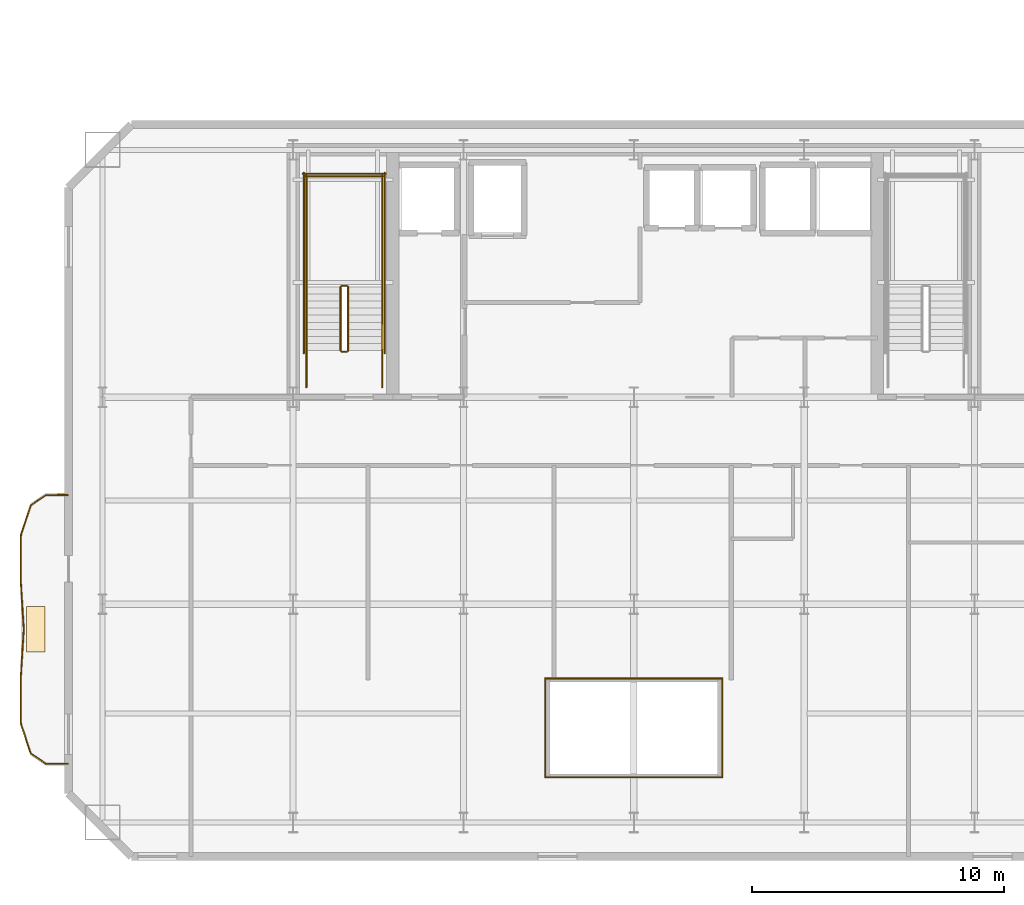
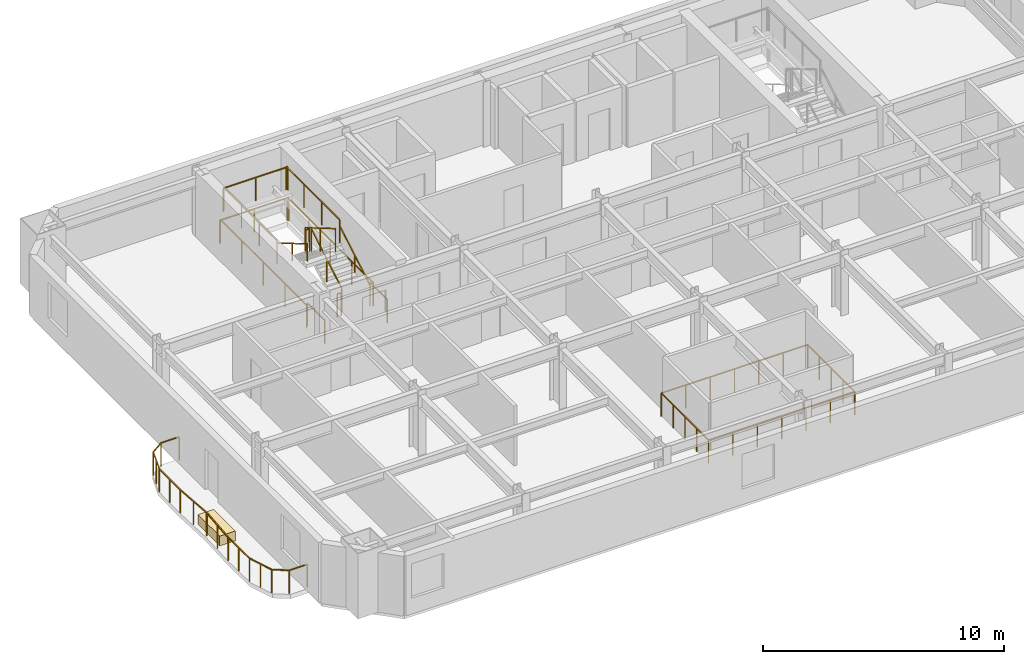
# One storey, part 10 of 13: 28 railings, 1 covering.
"""IFC4 building model written with IfcOpenShell, lengths in metres."""

import ifcopenshell
import ifcopenshell.guid

model = None  # the IFC model being written
_history = None  # IfcOwnerHistory: only IFC2X3 demands one
_inside = {}  # id of a spatial element -> (the spatial element, [elements in it])
_under = {}  # id of a project, library or spatial element -> (it, [spatial elements below it])
_declared = {}  # id of a project -> (the project, [libraries it declares])
_typed = {}  # id of a type object -> (the type object, [elements of that type])
_made_of = {}  # id of a material, layer set ... -> (it, [elements and type objects made of it])


def new_model(schema):
    """Start an empty IFC model of exactly this schema.

    Asked for "IFC4X3", IfcOpenShell would pick the latest addendum, in which some entities
    have other attributes; the version numbers below select the first issue.
    IFC2X3 requires an IfcOwnerHistory on every rooted entity: one is made here for all.
    """
    global model, _history
    if schema == "IFC4X3":
        model = ifcopenshell.file(schema_version=(4, 3, 0, 0))
    else:
        model = ifcopenshell.file(schema=schema)
    _inside.clear()
    _under.clear()
    _declared.clear()
    _typed.clear()
    _made_of.clear()
    _history = None
    if model.schema == "IFC2X3":
        org = make("IfcOrganization", Name="unknown")
        user = make(
            "IfcPersonAndOrganization",
            ThePerson=make("IfcPerson", FamilyName="unknown"),
            TheOrganization=org,
        )
        app = make(
            "IfcApplication",
            ApplicationDeveloper=org,
            Version="unknown",
            ApplicationFullName="unknown",
            ApplicationIdentifier="unknown",
        )
        _history = make(
            "IfcOwnerHistory",
            OwningUser=user,
            OwningApplication=app,
            ChangeAction="ADDED",
            CreationDate=0,
        )
    return model


def make(cls, **values):
    """One entity of the class cls with the attributes given. An attribute that is None is left unset."""
    return model.create_entity(
        cls, **{name: value for name, value in values.items() if value is not None}
    )


def rooted(cls, **values):
    """An entity with a GlobalId (a new one), such as an element, a storey or a relation."""
    return make(cls, GlobalId=ifcopenshell.guid.new(), OwnerHistory=_history, **values)


def si_unit(unit_type, name, prefix=None):
    """IfcSIUnit, for example si_unit("LENGTHUNIT", "METRE", prefix="MILLI")."""
    return make("IfcSIUnit", UnitType=unit_type, Prefix=prefix, Name=name)


def assignment(units):
    """IfcUnitAssignment: the units of a project."""
    return None if units is None else make("IfcUnitAssignment", Units=units)


def point(xyz):
    """IfcCartesianPoint."""
    return None if xyz is None else make("IfcCartesianPoint", Coordinates=xyz)


def direction(xyz):
    """IfcDirection."""
    return None if xyz is None else make("IfcDirection", DirectionRatios=xyz)


def frame(location, z_axis=None, x_axis=None):
    """IfcAxis2Placement3D, a coordinate frame: its origin and axes. An axis left out is left unset."""
    return make(
        "IfcAxis2Placement3D",
        Location=point(location),
        Axis=direction(z_axis),
        RefDirection=direction(x_axis),
    )


def frame_2d(location, x_axis=None):
    """IfcAxis2Placement2D, a coordinate frame in the plane: its origin and x axis."""
    return make(
        "IfcAxis2Placement2D", Location=point(location), RefDirection=direction(x_axis)
    )


def origin():
    """The frame at (0, 0, 0) with its axes left unset."""
    return frame((0.0, 0.0, 0.0))


def origin_2d():
    """The frame at (0, 0) in the plane with its x axis left unset."""
    return frame_2d((0.0, 0.0))


def place(relative_to, where):
    """IfcLocalPlacement: puts the frame where relative to a parent placement (None: the world)."""
    return make(
        "IfcLocalPlacement", PlacementRelTo=relative_to, RelativePlacement=where
    )


def context(
    kind, dimensions, precision=None, world=None, true_north=None, identifier=None
):
    """IfcGeometricRepresentationContext, for example the 3D "Model" context."""
    return make(
        "IfcGeometricRepresentationContext",
        ContextIdentifier=identifier,
        ContextType=kind,
        CoordinateSpaceDimension=dimensions,
        Precision=precision,
        WorldCoordinateSystem=world,
        TrueNorth=true_north,
    )


def subcontext(parent, identifier, kind, view, scale=None):
    """IfcGeometricRepresentationSubContext, for example "Body" below "Model"."""
    return make(
        "IfcGeometricRepresentationSubContext",
        ContextIdentifier=identifier,
        ContextType=kind,
        ParentContext=parent,
        TargetScale=scale,
        TargetView=view,
    )


def project(units=None, contexts=None):
    """IfcProject with its units and contexts."""
    return rooted(
        "IfcProject",
        Name="project",
        RepresentationContexts=contexts,
        UnitsInContext=assignment(units),
    )


def spatial(cls, under=None, at=None, **own):
    """A site, building, storey or space (cls), placed at a placement, below another one or the project."""
    s = rooted(cls, ObjectPlacement=at, **own)
    if under is not None:
        _under.setdefault(under.id(), (under, []))[1].append(s)
    return s


def profile(cls, at=None, kind="AREA", **sizes):
    """A parametric profile (cls). Its sizes go by their IFC names, for example OverallWidth=200.0."""
    return make(cls, ProfileType=kind, Position=at, **sizes)


def rectangle(**sizes):
    """IfcRectangleProfileDef."""
    return profile("IfcRectangleProfileDef", **sizes)


def extrude(swept, where, along, depth):
    """IfcExtrudedAreaSolid: the profile swept, set in the frame where, extruded along a direction by depth."""
    return make(
        "IfcExtrudedAreaSolid",
        SweptArea=swept,
        Position=where,
        ExtrudedDirection=direction(along),
        Depth=depth,
    )


def shape(context_of_items, identifier, shape_type, items):
    """IfcShapeRepresentation: the items that make up one representation, for example the "Body"."""
    return make(
        "IfcShapeRepresentation",
        ContextOfItems=context_of_items,
        RepresentationIdentifier=identifier,
        RepresentationType=shape_type,
        Items=items,
    )


def material(Name=None, Category=None):
    """IfcMaterial."""
    return make("IfcMaterial", Name=Name, Category=Category)


def layer(
    of_material, thickness, ventilated=None, Name=None, Category=None, Priority=None
):
    """IfcMaterialLayer: one layer of a wall or slab, of a material (None: an air gap)."""
    return make(
        "IfcMaterialLayer",
        Material=of_material,
        LayerThickness=thickness,
        IsVentilated=ventilated,
        Name=Name,
        Category=Category,
        Priority=Priority,
    )


def layer_set(layers, Name=None):
    """IfcMaterialLayerSet."""
    return make("IfcMaterialLayerSet", MaterialLayers=layers, LayerSetName=Name)


def made_of(thing, what):
    """Note that an element or type object is made of a material, layer set ...; save() writes the relation."""
    if what is not None:
        _made_of.setdefault(what.id(), (what, []))[1].append(thing)
    return thing


def type_object(cls, material=None, **own):
    """A type object (cls), such as IfcWallType, which elements share."""
    return made_of(rooted(cls, **own), material)


def element(
    cls,
    number,
    at=None,
    inside=None,
    cuts=None,
    type_object=None,
    material=None,
    context=None,
    identifier="Body",
    shape_type=None,
    held_by="IfcProductDefinitionShape",
    body=None,
    shapes=None,
    **own,
):
    """One element of the class cls, such as IfcWall. Its Tag is "e" and its number.

    at: its placement. inside: the storey or other place that contains it. cuts: it is an
    opening in that element (IfcRelVoidsElement). A single representation is given by context,
    identifier, shape_type and body (its items); several are given by shapes. held_by: the class
    of the entity that holds the representations. save() writes the other relations.
    """
    e = rooted(cls, Tag="e%d" % number, ObjectPlacement=at, **own)
    if body is not None:
        shapes = [shape(context, identifier, shape_type, body)]
    if shapes is not None:
        e.Representation = make(held_by, Representations=shapes)
    if inside is not None:
        _inside.setdefault(inside.id(), (inside, []))[1].append(e)
    if cuts is not None:
        rooted(
            "IfcRelVoidsElement", RelatingBuildingElement=cuts, RelatedOpeningElement=e
        )
    if type_object is not None:
        _typed.setdefault(type_object.id(), (type_object, []))[1].append(e)
    return made_of(e, material)


def aggregate(whole, parts):
    """IfcRelAggregates: a whole, such as a stair, and the parts it consists of."""
    return rooted("IfcRelAggregates", RelatingObject=whole, RelatedObjects=parts)


def save(model, path):
    """Write the relations noted so far, then the file.

    IfcRelAggregates (storeys below a building ...), IfcRelContainedInSpatialStructure (elements
    in a storey), IfcRelDefinesByType, IfcRelAssociatesMaterial and IfcRelDeclares: one each for
    every whole, place, type object, material and project.
    """
    for whole, parts in _under.values():
        aggregate(whole, parts)
    for where, things in _inside.values():
        rooted(
            "IfcRelContainedInSpatialStructure",
            RelatedElements=things,
            RelatingStructure=where,
        )
    for kind, things in _typed.values():
        rooted("IfcRelDefinesByType", RelatedObjects=things, RelatingType=kind)
    for what, things in _made_of.values():
        rooted("IfcRelAssociatesMaterial", RelatedObjects=things, RelatingMaterial=what)
    for by, libraries in _declared.values():
        rooted("IfcRelDeclares", RelatingContext=by, RelatedDefinitions=libraries)
    model.write(path)


model = new_model("IFC4")

# Units and contexts
model_context = context("Model", 3, precision=1e-05, world=origin(), true_north=direction((0.0, 1.0)))
body_context = subcontext(model_context, "Body", "Model", "MODEL_VIEW")
ifc_project = project(units=[si_unit("LENGTHUNIT", "METRE"), si_unit("AREAUNIT", "SQUARE_METRE"), si_unit("VOLUMEUNIT", "CUBIC_METRE"), si_unit("PLANEANGLEUNIT", "RADIAN"), si_unit("MASSUNIT", "GRAM", prefix="KILO")], contexts=[model_context])

# Site, building, storey
site_placement = place(None, origin())
site = spatial("IfcSite", under=ifc_project, at=site_placement, CompositionType="ELEMENT")
building_placement = place(site_placement, origin())
building = spatial("IfcBuilding", under=site, at=building_placement, Name="Haevon Station Towers", CompositionType="ELEMENT")
storey_placement = place(building_placement, frame((0.0, 0.0, 126.300048828125)))
storey = spatial("IfcBuildingStorey", under=building, at=storey_placement, Name="L34", CompositionType="ELEMENT", Elevation=126.300048828125)

# Railings
ifc_material_1 = material(Name="Steel S355", Category="steel")
railing_type_1 = type_object("IfcRailingType", Name="BAL-ATR1200", PredefinedType="BALUSTRADE", material=ifc_material_1)
railing_1_placement = place(storey_placement, frame((33.995361328125, 23.141357421875, 0.0)))
element("IfcRailing", 1, at=railing_1_placement, inside=storey, type_object=railing_type_1, Name="L34 Atrium Void Balustrade 1", PredefinedType="BALUSTRADE", context=body_context, shape_type="SweptSolid", body=[
    extrude(rectangle(XDim=0.048095703125, YDim=0.048095703125, at=origin_2d()), frame((0.0, 0.0, 1.17578125), z_axis=(1.0, 0.0, 0.0), x_axis=(0.0, 1.0, 0.0)), (0.0, 0.0, 1.0), 7.00927734375),
    extrude(rectangle(XDim=0.0419921875, YDim=0.0419921875, at=origin_2d()), origin(), (0.0, 0.0, 1.0), 1.15185546875),
    extrude(rectangle(XDim=0.0419921875, YDim=0.0419921875, at=origin_2d()), frame((1.168212890625, 0.0, 0.0)), (0.0, 0.0, 1.0), 1.15185546875),
    extrude(rectangle(XDim=0.0419921875, YDim=0.0419921875, at=origin_2d()), frame((2.33642578125, 0.0, 0.0)), (0.0, 0.0, 1.0), 1.15185546875),
    extrude(rectangle(XDim=0.0419921875, YDim=0.0419921875, at=origin_2d()), frame((3.504638671875, 0.0, 0.0)), (0.0, 0.0, 1.0), 1.15185546875),
    extrude(rectangle(XDim=0.0419921875, YDim=0.0419921875, at=origin_2d()), frame((4.6728515625, 0.0, 0.0)), (0.0, 0.0, 1.0), 1.15185546875),
    extrude(rectangle(XDim=0.0419921875, YDim=0.0419921875, at=origin_2d()), frame((5.841064453125, 0.0, 0.0)), (0.0, 0.0, 1.0), 1.15185546875),
    extrude(rectangle(XDim=0.0419921875, YDim=0.0419921875, at=origin_2d()), frame((7.00927734375, 0.0, 0.0)), (0.0, 0.0, 1.0), 1.15185546875),
])
railing_2_placement = place(storey_placement, frame((41.004638671875, 23.141357421875, 0.0)))
element("IfcRailing", 2, at=railing_2_placement, inside=storey, type_object=railing_type_1, Name="L34 Atrium Void Balustrade 2", PredefinedType="BALUSTRADE", context=body_context, shape_type="SweptSolid", body=[
    extrude(rectangle(XDim=0.048095703125, YDim=0.048095703125, at=origin_2d()), frame((0.0, 0.0, 1.17578125), z_axis=(0.0, 1.0, 0.0), x_axis=(-1.0, 0.0, 0.0)), (0.0, 0.0, 1.0), 3.917236328125),
    extrude(rectangle(XDim=0.0419921875, YDim=0.0419921875, at=origin_2d()), origin(), (0.0, 0.0, 1.0), 1.15185546875),
    extrude(rectangle(XDim=0.0419921875, YDim=0.0419921875, at=origin_2d()), frame((0.0, 0.979248046875, 0.0)), (0.0, 0.0, 1.0), 1.15185546875),
    extrude(rectangle(XDim=0.0419921875, YDim=0.0419921875, at=origin_2d()), frame((0.0, 1.95849609375, 0.0)), (0.0, 0.0, 1.0), 1.15185546875),
    extrude(rectangle(XDim=0.0419921875, YDim=0.0419921875, at=origin_2d()), frame((0.0, 2.93798828125, 0.0)), (0.0, 0.0, 1.0), 1.15185546875),
    extrude(rectangle(XDim=0.0419921875, YDim=0.0419921875, at=origin_2d()), frame((0.0, 3.917236328125, 0.0)), (0.0, 0.0, 1.0), 1.15185546875),
])
railing_3_placement = place(storey_placement, frame((41.004638671875, 27.05859375, 0.0)))
element("IfcRailing", 3, at=railing_3_placement, inside=storey, type_object=railing_type_1, Name="L34 Atrium Void Balustrade 3", PredefinedType="BALUSTRADE", context=body_context, shape_type="SweptSolid", body=[
    extrude(rectangle(XDim=0.048095703125, YDim=0.048095703125, at=origin_2d()), frame((0.0, 0.0, 1.17578125), z_axis=(-1.0, 0.0, 0.0), x_axis=(0.0, -1.0, 0.0)), (0.0, 0.0, 1.0), 7.00927734375),
    extrude(rectangle(XDim=0.0419921875, YDim=0.0419921875, at=origin_2d()), origin(), (0.0, 0.0, 1.0), 1.15185546875),
    extrude(rectangle(XDim=0.0419921875, YDim=0.0419921875, at=origin_2d()), frame((-1.168212890625, 0.0, 0.0)), (0.0, 0.0, 1.0), 1.15185546875),
    extrude(rectangle(XDim=0.0419921875, YDim=0.0419921875, at=origin_2d()), frame((-2.33642578125, 0.0, 0.0)), (0.0, 0.0, 1.0), 1.15185546875),
    extrude(rectangle(XDim=0.0419921875, YDim=0.0419921875, at=origin_2d()), frame((-3.504638671875, 0.0, 0.0)), (0.0, 0.0, 1.0), 1.15185546875),
    extrude(rectangle(XDim=0.0419921875, YDim=0.0419921875, at=origin_2d()), frame((-4.6728515625, 0.0, 0.0)), (0.0, 0.0, 1.0), 1.15185546875),
    extrude(rectangle(XDim=0.0419921875, YDim=0.0419921875, at=origin_2d()), frame((-5.841064453125, 0.0, 0.0)), (0.0, 0.0, 1.0), 1.15185546875),
    extrude(rectangle(XDim=0.0419921875, YDim=0.0419921875, at=origin_2d()), frame((-7.00927734375, 0.0, 0.0)), (0.0, 0.0, 1.0), 1.15185546875),
])
railing_4_placement = place(storey_placement, frame((33.995361328125, 27.05859375, 0.0)))
element("IfcRailing", 4, at=railing_4_placement, inside=storey, type_object=railing_type_1, Name="L34 Atrium Void Balustrade 4", PredefinedType="BALUSTRADE", context=body_context, shape_type="SweptSolid", body=[
    extrude(rectangle(XDim=0.048095703125, YDim=0.048095703125, at=origin_2d()), frame((0.0, 0.0, 1.17578125), z_axis=(0.0, -1.0, 0.0), x_axis=(1.0, 0.0, 0.0)), (0.0, 0.0, 1.0), 3.917236328125),
    extrude(rectangle(XDim=0.0419921875, YDim=0.0419921875, at=origin_2d()), origin(), (0.0, 0.0, 1.0), 1.15185546875),
    extrude(rectangle(XDim=0.0419921875, YDim=0.0419921875, at=origin_2d()), frame((0.0, -0.979248046875, 0.0)), (0.0, 0.0, 1.0), 1.15185546875),
    extrude(rectangle(XDim=0.0419921875, YDim=0.0419921875, at=origin_2d()), frame((0.0, -1.95849609375, 0.0)), (0.0, 0.0, 1.0), 1.15185546875),
    extrude(rectangle(XDim=0.0419921875, YDim=0.0419921875, at=origin_2d()), frame((0.0, -2.93798828125, 0.0)), (0.0, 0.0, 1.0), 1.15185546875),
    extrude(rectangle(XDim=0.0419921875, YDim=0.0419921875, at=origin_2d()), frame((0.0, -3.917236328125, 0.0)), (0.0, 0.0, 1.0), 1.15185546875),
])
railing_type_2 = type_object("IfcRailingType", Name="GRD-EXT1200", PredefinedType="GUARDRAIL", material=ifc_material_1)
railing_5_placement = place(storey_placement, frame((15.076416015625, 34.322265625, 0.0)))
element("IfcRailing", 5, at=railing_5_placement, inside=storey, type_object=railing_type_2, Name="L34 Perimeter Guardrail 1", PredefinedType="GUARDRAIL", context=body_context, shape_type="SweptSolid", body=[
    extrude(rectangle(XDim=0.048095703125, YDim=0.048095703125, at=origin_2d()), frame((0.0, 0.0, 1.17578125), z_axis=(-0.999997476494, -0.002246554286, 0.0), x_axis=(0.002246554286, -0.999997476494, 0.0)), (0.0, 0.0, 1.0), 0.869384765625),
    extrude(rectangle(XDim=0.0419921875, YDim=0.0419921875, at=origin_2d()), origin(), (0.0, 0.0, 1.0), 1.15185546875),
    extrude(rectangle(XDim=0.0419921875, YDim=0.0419921875, at=origin_2d()), frame((-0.869384765625, -0.001953125, 0.0)), (0.0, 0.0, 1.0), 1.15185546875),
])
railing_6_placement = place(storey_placement, frame((14.20703125, 34.3203125, 0.0)))
element("IfcRailing", 6, at=railing_6_placement, inside=storey, type_object=railing_type_2, Name="L34 Perimeter Guardrail 2", PredefinedType="GUARDRAIL", context=body_context, shape_type="SweptSolid", body=[
    extrude(rectangle(XDim=0.048095703125, YDim=0.048095703125, at=origin_2d()), frame((0.0, 0.0, 1.17578125), z_axis=(-0.827983486592, -0.560752481876, 0.0), x_axis=(0.560752481876, -0.827983486592, 0.0)), (0.0, 0.0, 1.0), 0.733642578125),
    extrude(rectangle(XDim=0.0419921875, YDim=0.0419921875, at=origin_2d()), origin(), (0.0, 0.0, 1.0), 1.15185546875),
    extrude(rectangle(XDim=0.0419921875, YDim=0.0419921875, at=origin_2d()), frame((-0.607421875, -0.411376953125, 0.0)), (0.0, 0.0, 1.0), 1.15185546875),
])
railing_7_placement = place(storey_placement, frame((13.599609375, 33.908935546875, 0.0)))
element("IfcRailing", 7, at=railing_7_placement, inside=storey, type_object=railing_type_2, Name="L34 Perimeter Guardrail 3", PredefinedType="GUARDRAIL", context=body_context, shape_type="SweptSolid", body=[
    extrude(rectangle(XDim=0.048095703125, YDim=0.048095703125, at=origin_2d()), frame((0.0, 0.0, 1.17578125), z_axis=(-0.312299013333, -0.949983855795, 0.0), x_axis=(0.949983855795, -0.312299013333, 0.0)), (0.0, 0.0, 1.0), 1.231201171875),
    extrude(rectangle(XDim=0.0419921875, YDim=0.0419921875, at=origin_2d()), origin(), (0.0, 0.0, 1.0), 1.15185546875),
    extrude(rectangle(XDim=0.0419921875, YDim=0.0419921875, at=origin_2d()), frame((-0.1923828125, -0.5849609375, 0.0)), (0.0, 0.0, 1.0), 1.15185546875),
    extrude(rectangle(XDim=0.0419921875, YDim=0.0419921875, at=origin_2d()), frame((-0.384521484375, -1.169677734375, 0.0)), (0.0, 0.0, 1.0), 1.15185546875),
])
railing_8_placement = place(storey_placement, frame((13.215087890625, 32.7392578125, 0.0)))
element("IfcRailing", 8, at=railing_8_placement, inside=storey, type_object=railing_type_2, Name="L34 Perimeter Guardrail 4", PredefinedType="GUARDRAIL", context=body_context, shape_type="SweptSolid", body=[
    extrude(rectangle(XDim=0.048095703125, YDim=0.048095703125, at=origin_2d()), frame((0.0, 0.0, 1.17578125), z_axis=(-0.006559523914, -0.999978486092, 0.0), x_axis=(0.999978486092, -0.006559523914, 0.0)), (0.0, 0.0, 1.0), 1.749267578125),
    extrude(rectangle(XDim=0.0419921875, YDim=0.0419921875, at=origin_2d()), origin(), (0.0, 0.0, 1.0), 1.15185546875),
    extrude(rectangle(XDim=0.0419921875, YDim=0.0419921875, at=origin_2d()), frame((-0.005859375, -0.87451171875, 0.0)), (0.0, 0.0, 1.0), 1.15185546875),
    extrude(rectangle(XDim=0.0419921875, YDim=0.0419921875, at=origin_2d()), frame((-0.011474609375, -1.749267578125, 0.0)), (0.0, 0.0, 1.0), 1.15185546875),
])
railing_9_placement = place(storey_placement, frame((13.20361328125, 30.989990234375, 0.0)))
element("IfcRailing", 9, at=railing_9_placement, inside=storey, type_object=railing_type_2, Name="L34 Perimeter Guardrail 5", PredefinedType="GUARDRAIL", context=body_context, shape_type="SweptSolid", body=[
    extrude(rectangle(XDim=0.048095703125, YDim=0.048095703125, at=origin_2d()), frame((0.0, 0.0, 1.17578125), z_axis=(0.062812782849, -0.99802532749, 0.0), x_axis=(0.99802532749, 0.062812782849, 0.0)), (0.0, 0.0, 1.0), 1.993896484375),
    extrude(rectangle(XDim=0.0419921875, YDim=0.0419921875, at=origin_2d()), origin(), (0.0, 0.0, 1.0), 1.15185546875),
    extrude(rectangle(XDim=0.0419921875, YDim=0.0419921875, at=origin_2d()), frame((0.0625, -0.9951171875, 0.0)), (0.0, 0.0, 1.0), 1.15185546875),
    extrude(rectangle(XDim=0.0419921875, YDim=0.0419921875, at=origin_2d()), frame((0.125244140625, -1.989990234375, 0.0)), (0.0, 0.0, 1.0), 1.15185546875),
])
railing_10_placement = place(storey_placement, frame((13.328857421875, 29.0, 0.0)))
element("IfcRailing", 10, at=railing_10_placement, inside=storey, type_object=railing_type_2, Name="L34 Perimeter Guardrail 6", PredefinedType="GUARDRAIL", context=body_context, shape_type="SweptSolid", body=[
    extrude(rectangle(XDim=0.048095703125, YDim=0.048095703125, at=origin_2d()), frame((0.0, 0.0, 1.17578125), z_axis=(-0.062812782849, -0.99802532749, 0.0), x_axis=(0.99802532749, -0.062812782849, 0.0)), (0.0, 0.0, 1.0), 1.993896484375),
    extrude(rectangle(XDim=0.0419921875, YDim=0.0419921875, at=origin_2d()), origin(), (0.0, 0.0, 1.0), 1.15185546875),
    extrude(rectangle(XDim=0.0419921875, YDim=0.0419921875, at=origin_2d()), frame((-0.0625, -0.9951171875, 0.0)), (0.0, 0.0, 1.0), 1.15185546875),
    extrude(rectangle(XDim=0.0419921875, YDim=0.0419921875, at=origin_2d()), frame((-0.125244140625, -1.989990234375, 0.0)), (0.0, 0.0, 1.0), 1.15185546875),
])
railing_11_placement = place(storey_placement, frame((13.20361328125, 27.010009765625, 0.0)))
element("IfcRailing", 11, at=railing_11_placement, inside=storey, type_object=railing_type_2, Name="L34 Perimeter Guardrail 7", PredefinedType="GUARDRAIL", context=body_context, shape_type="SweptSolid", body=[
    extrude(rectangle(XDim=0.048095703125, YDim=0.048095703125, at=origin_2d()), frame((0.0, 0.0, 1.17578125), z_axis=(0.006559523914, -0.999978486092, 0.0), x_axis=(0.999978486092, 0.006559523914, 0.0)), (0.0, 0.0, 1.0), 1.749267578125),
    extrude(rectangle(XDim=0.0419921875, YDim=0.0419921875, at=origin_2d()), origin(), (0.0, 0.0, 1.0), 1.15185546875),
    extrude(rectangle(XDim=0.0419921875, YDim=0.0419921875, at=origin_2d()), frame((0.005859375, -0.87451171875, 0.0)), (0.0, 0.0, 1.0), 1.15185546875),
    extrude(rectangle(XDim=0.0419921875, YDim=0.0419921875, at=origin_2d()), frame((0.011474609375, -1.749267578125, 0.0)), (0.0, 0.0, 1.0), 1.15185546875),
])
railing_12_placement = place(storey_placement, frame((13.215087890625, 25.2607421875, 0.0)))
element("IfcRailing", 12, at=railing_12_placement, inside=storey, type_object=railing_type_2, Name="L34 Perimeter Guardrail 8", PredefinedType="GUARDRAIL", context=body_context, shape_type="SweptSolid", body=[
    extrude(rectangle(XDim=0.048095703125, YDim=0.048095703125, at=origin_2d()), frame((0.0, 0.0, 1.17578125), z_axis=(0.312299013333, -0.949983855795, 0.0), x_axis=(0.949983855795, 0.312299013333, 0.0)), (0.0, 0.0, 1.0), 1.231201171875),
    extrude(rectangle(XDim=0.0419921875, YDim=0.0419921875, at=origin_2d()), origin(), (0.0, 0.0, 1.0), 1.15185546875),
    extrude(rectangle(XDim=0.0419921875, YDim=0.0419921875, at=origin_2d()), frame((0.1923828125, -0.5849609375, 0.0)), (0.0, 0.0, 1.0), 1.15185546875),
    extrude(rectangle(XDim=0.0419921875, YDim=0.0419921875, at=origin_2d()), frame((0.384521484375, -1.169677734375, 0.0)), (0.0, 0.0, 1.0), 1.15185546875),
])
railing_13_placement = place(storey_placement, frame((13.599609375, 24.091064453125, 0.0)))
element("IfcRailing", 13, at=railing_13_placement, inside=storey, type_object=railing_type_2, Name="L34 Perimeter Guardrail 9", PredefinedType="GUARDRAIL", context=body_context, shape_type="SweptSolid", body=[
    extrude(rectangle(XDim=0.048095703125, YDim=0.048095703125, at=origin_2d()), frame((0.0, 0.0, 1.17578125), z_axis=(0.827983486592, -0.560752481876, 0.0), x_axis=(0.560752481876, 0.827983486592, 0.0)), (0.0, 0.0, 1.0), 0.733642578125),
    extrude(rectangle(XDim=0.0419921875, YDim=0.0419921875, at=origin_2d()), origin(), (0.0, 0.0, 1.0), 1.15185546875),
    extrude(rectangle(XDim=0.0419921875, YDim=0.0419921875, at=origin_2d()), frame((0.607421875, -0.411376953125, 0.0)), (0.0, 0.0, 1.0), 1.15185546875),
])
railing_14_placement = place(storey_placement, frame((14.20703125, 23.6796875, 0.0)))
element("IfcRailing", 14, at=railing_14_placement, inside=storey, type_object=railing_type_2, Name="L34 Perimeter Guardrail 10", PredefinedType="GUARDRAIL", context=body_context, shape_type="SweptSolid", body=[
    extrude(rectangle(XDim=0.048095703125, YDim=0.048095703125, at=origin_2d()), frame((0.0, 0.0, 1.17578125), z_axis=(0.999997476494, -0.002246554286, 0.0), x_axis=(0.002246554286, 0.999997476494, 0.0)), (0.0, 0.0, 1.0), 0.869384765625),
    extrude(rectangle(XDim=0.0419921875, YDim=0.0419921875, at=origin_2d()), origin(), (0.0, 0.0, 1.0), 1.15185546875),
    extrude(rectangle(XDim=0.0419921875, YDim=0.0419921875, at=origin_2d()), frame((0.869384765625, -0.001953125, 0.0)), (0.0, 0.0, 1.0), 1.15185546875),
])
railing_type_3 = type_object("IfcRailingType", Name="GRD-STR1200", PredefinedType="GUARDRAIL", material=ifc_material_1)
railing_15_placement = place(storey_placement, frame((26.179931640625, 40.050048828125, 0.1650390625)))
element("IfcRailing", 15, at=railing_15_placement, inside=storey, type_object=railing_type_3, Name="L34 ST1 Stair Guard 1", PredefinedType="GUARDRAIL", context=body_context, shape_type="SweptSolid", body=[
    extrude(rectangle(XDim=0.048095703125, YDim=0.048095703125, at=origin_2d()), frame((0.0, 0.0, 1.17578125), z_axis=(0.0, 0.861560626758, 0.507654692109), x_axis=(-1.0, 0.0, 0.0)), (0.0, 0.0, 1.0), 2.925048828125),
    extrude(rectangle(XDim=0.0419921875, YDim=0.0419921875, at=origin_2d()), origin(), (0.0, 0.0, 1.0), 1.15185546875),
    extrude(rectangle(XDim=0.0419921875, YDim=0.0419921875, at=origin_2d()), frame((0.0, 1.260009765625, 0.742431640625)), (0.0, 0.0, 1.0), 1.15185546875),
    extrude(rectangle(XDim=0.0419921875, YDim=0.0419921875, at=origin_2d()), frame((0.0, 2.52001953125, 1.48486328125)), (0.0, 0.0, 1.0), 1.15185546875),
])
railing_16_placement = place(storey_placement, frame((26.1298828125, 42.6201171875, 1.64990234375)))
element("IfcRailing", 16, at=railing_16_placement, inside=storey, type_object=railing_type_3, Name="L34 ST1 Stair Guard 2", PredefinedType="GUARDRAIL", context=body_context, shape_type="SweptSolid", body=[
    extrude(rectangle(XDim=0.048095703125, YDim=0.048095703125, at=origin_2d()), frame((0.0, 0.0, 1.17578125), z_axis=(-1.0, 0.0, 0.0), x_axis=(0.0, -1.0, 0.0)), (0.0, 0.0, 1.0), 0.199951171875),
    extrude(rectangle(XDim=0.0419921875, YDim=0.0419921875, at=origin_2d()), origin(), (0.0, 0.0, 1.0), 1.15185546875),
    extrude(rectangle(XDim=0.0419921875, YDim=0.0419921875, at=origin_2d()), frame((-0.199951171875, 0.0, 0.0)), (0.0, 0.0, 1.0), 1.15185546875),
])
for number, where, name in (
    (17, (27.530029296875, 42.570068359375, 1.64990234375), "L34 ST1 Stair Guard 3"),
    (18, (24.530029296875, 42.570068359375, 1.64990234375), "L34 ST1 Stair Guard 4"),
):
    element("IfcRailing", number, at=place(storey_placement, frame(where)), inside=storey, type_object=railing_type_3, Name=name, PredefinedType="GUARDRAIL", context=body_context, shape_type="SweptSolid", body=[
        extrude(rectangle(XDim=0.048095703125, YDim=0.048095703125, at=origin_2d()), frame((0.0, 0.0, 1.17578125), z_axis=(0.0, 1.0, 0.0), x_axis=(-1.0, 0.0, 0.0)), (0.0, 0.0, 1.0), 4.429931640625),
        extrude(rectangle(XDim=0.0419921875, YDim=0.0419921875, at=origin_2d()), origin(), (0.0, 0.0, 1.0), 1.15185546875),
        extrude(rectangle(XDim=0.0419921875, YDim=0.0419921875, at=origin_2d()), frame((0.0, 1.4765625, 0.0)), (0.0, 0.0, 1.0), 1.15185546875),
        extrude(rectangle(XDim=0.0419921875, YDim=0.0419921875, at=origin_2d()), frame((0.0, 2.953369140625, 0.0)), (0.0, 0.0, 1.0), 1.15185546875),
        extrude(rectangle(XDim=0.0419921875, YDim=0.0419921875, at=origin_2d()), frame((0.0, 4.429931640625, 0.0)), (0.0, 0.0, 1.0), 1.15185546875),
    ])
railing_17_placement = place(storey_placement, frame((27.580078125, 46.949951171875, 1.64990234375)))
element("IfcRailing", 19, at=railing_17_placement, inside=storey, type_object=railing_type_3, Name="L34 ST1 Stair Guard 5", PredefinedType="GUARDRAIL", context=body_context, shape_type="SweptSolid", body=[
    extrude(rectangle(XDim=0.048095703125, YDim=0.048095703125, at=origin_2d()), frame((0.0, 0.0, 1.17578125), z_axis=(-1.0, 0.0, 0.0), x_axis=(0.0, -1.0, 0.0)), (0.0, 0.0, 1.0), 3.10009765625),
    extrude(rectangle(XDim=0.0419921875, YDim=0.0419921875, at=origin_2d()), origin(), (0.0, 0.0, 1.0), 1.15185546875),
    extrude(rectangle(XDim=0.0419921875, YDim=0.0419921875, at=origin_2d()), frame((-1.550048828125, 0.0, 0.0)), (0.0, 0.0, 1.0), 1.15185546875),
    extrude(rectangle(XDim=0.0419921875, YDim=0.0419921875, at=origin_2d()), frame((-3.10009765625, 0.0, 0.0)), (0.0, 0.0, 1.0), 1.15185546875),
])
railing_18_placement = place(storey_placement, frame((25.8798828125, 42.570068359375, 1.81494140625)))
element("IfcRailing", 20, at=railing_18_placement, inside=storey, type_object=railing_type_3, Name="L34 ST1 Stair Guard 6", PredefinedType="GUARDRAIL", context=body_context, shape_type="SweptSolid", body=[
    extrude(rectangle(XDim=0.048095703125, YDim=0.048095703125, at=origin_2d()), frame((0.0, 0.0, 1.17578125), z_axis=(0.0, -0.86152411907, 0.507716645641), x_axis=(1.0, 0.0, 0.0)), (0.0, 0.0, 1.0), 2.925048828125),
    extrude(rectangle(XDim=0.0419921875, YDim=0.0419921875, at=origin_2d()), origin(), (0.0, 0.0, 1.0), 1.15185546875),
    extrude(rectangle(XDim=0.0419921875, YDim=0.0419921875, at=origin_2d()), frame((0.0, -1.260009765625, 0.74267578125)), (0.0, 0.0, 1.0), 1.15185546875),
    extrude(rectangle(XDim=0.0419921875, YDim=0.0419921875, at=origin_2d()), frame((0.0, -2.52001953125, 1.485107421875)), (0.0, 0.0, 1.0), 1.15185546875),
])
railing_19_placement = place(storey_placement, frame((26.1298828125, 40.0, 0.0)))
element("IfcRailing", 21, at=railing_19_placement, inside=storey, type_object=railing_type_3, Name="L34 ST1 Stair Guard 7", PredefinedType="GUARDRAIL", context=body_context, shape_type="SweptSolid", body=[
    extrude(rectangle(XDim=0.048095703125, YDim=0.048095703125, at=origin_2d()), frame((0.0, 0.0, 1.17578125), z_axis=(-1.0, 0.0, 0.0), x_axis=(0.0, -1.0, 0.0)), (0.0, 0.0, 1.0), 0.199951171875),
    extrude(rectangle(XDim=0.0419921875, YDim=0.0419921875, at=origin_2d()), origin(), (0.0, 0.0, 1.0), 1.15185546875),
    extrude(rectangle(XDim=0.0419921875, YDim=0.0419921875, at=origin_2d()), frame((-0.199951171875, 0.0, 0.0)), (0.0, 0.0, 1.0), 1.15185546875),
])
for number, where, name in (
    (22, (27.530029296875, 38.60009765625, 0.0), "L34 ST1 Stair Guard 8"),
    (23, (24.530029296875, 38.60009765625, 0.0), "L34 ST1 Stair Guard 9"),
):
    element("IfcRailing", number, at=place(storey_placement, frame(where)), inside=storey, type_object=railing_type_3, Name=name, PredefinedType="GUARDRAIL", context=body_context, shape_type="SweptSolid", body=[
        extrude(rectangle(XDim=0.048095703125, YDim=0.048095703125, at=origin_2d()), frame((0.0, 0.0, 1.17578125), z_axis=(0.0, 1.0, 0.0), x_axis=(-1.0, 0.0, 0.0)), (0.0, 0.0, 1.0), 1.449951171875),
        extrude(rectangle(XDim=0.0419921875, YDim=0.0419921875, at=origin_2d()), origin(), (0.0, 0.0, 1.0), 1.15185546875),
        extrude(rectangle(XDim=0.0419921875, YDim=0.0419921875, at=origin_2d()), frame((0.0, 1.449951171875, 0.0)), (0.0, 0.0, 1.0), 1.15185546875),
    ])
for number, where, name in (
    (24, (27.6298828125, 39.949951171875, 0.0), "L34 ST1 Stair Guard 10"),
    (25, (24.429931640625, 39.949951171875, 0.0), "L34 ST1 Stair Guard 11"),
):
    element("IfcRailing", number, at=place(storey_placement, frame(where)), inside=storey, type_object=railing_type_3, Name=name, PredefinedType="GUARDRAIL", context=body_context, shape_type="SweptSolid", body=[
        extrude(rectangle(XDim=0.048095703125, YDim=0.048095703125, at=origin_2d()), frame((0.0, 0.0, 1.17578125), z_axis=(0.0, 1.0, 0.0), x_axis=(-1.0, 0.0, 0.0)), (0.0, 0.0, 1.0), 7.150146484375),
        extrude(rectangle(XDim=0.0419921875, YDim=0.0419921875, at=origin_2d()), origin(), (0.0, 0.0, 1.0), 1.15185546875),
        extrude(rectangle(XDim=0.0419921875, YDim=0.0419921875, at=origin_2d()), frame((0.0, 1.78759765625, 0.0)), (0.0, 0.0, 1.0), 1.15185546875),
        extrude(rectangle(XDim=0.0419921875, YDim=0.0419921875, at=origin_2d()), frame((0.0, 3.5751953125, 0.0)), (0.0, 0.0, 1.0), 1.15185546875),
        extrude(rectangle(XDim=0.0419921875, YDim=0.0419921875, at=origin_2d()), frame((0.0, 5.362548828125, 0.0)), (0.0, 0.0, 1.0), 1.15185546875),
        extrude(rectangle(XDim=0.0419921875, YDim=0.0419921875, at=origin_2d()), frame((0.0, 7.150146484375, 0.0)), (0.0, 0.0, 1.0), 1.15185546875),
    ])
railing_20_placement = place(storey_placement, frame((27.679931640625, 47.050048828125, 0.0)))
element("IfcRailing", 26, at=railing_20_placement, inside=storey, type_object=railing_type_3, Name="L34 ST1 Stair Guard 12", PredefinedType="GUARDRAIL", context=body_context, shape_type="SweptSolid", body=[
    extrude(rectangle(XDim=0.048095703125, YDim=0.048095703125, at=origin_2d()), frame((0.0, 0.0, 1.17578125), z_axis=(-1.0, 0.0, 0.0), x_axis=(0.0, -1.0, 0.0)), (0.0, 0.0, 1.0), 3.300048828125),
    extrude(rectangle(XDim=0.0419921875, YDim=0.0419921875, at=origin_2d()), origin(), (0.0, 0.0, 1.0), 1.15185546875),
    extrude(rectangle(XDim=0.0419921875, YDim=0.0419921875, at=origin_2d()), frame((-1.64990234375, 0.0, 0.0)), (0.0, 0.0, 1.0), 1.15185546875),
    extrude(rectangle(XDim=0.0419921875, YDim=0.0419921875, at=origin_2d()), frame((-3.300048828125, 0.0, 0.0)), (0.0, 0.0, 1.0), 1.15185546875),
])
railing_type_4 = type_object("IfcRailingType", Name="HND-STR900", PredefinedType="HANDRAIL", material=ifc_material_1)
railing_21_placement = place(storey_placement, frame((27.530029296875, 40.050048828125, 0.1650390625)))
element("IfcRailing", 27, at=railing_21_placement, inside=storey, type_object=railing_type_4, Name="L34 ST1 Stair Handrail 1", PredefinedType="HANDRAIL", context=body_context, shape_type="SweptSolid", body=[
    extrude(rectangle(XDim=0.048095703125, YDim=0.048095703125, at=origin_2d()), frame((0.0, 0.0, 0.8759765625), z_axis=(0.0, 0.861560626758, 0.507654692109), x_axis=(-1.0, 0.0, 0.0)), (0.0, 0.0, 1.0), 2.925048828125),
    extrude(rectangle(XDim=0.0419921875, YDim=0.0419921875, at=origin_2d()), origin(), (0.0, 0.0, 1.0), 0.851806640625),
    extrude(rectangle(XDim=0.0419921875, YDim=0.0419921875, at=origin_2d()), frame((0.0, 1.260009765625, 0.742431640625)), (0.0, 0.0, 1.0), 0.851806640625),
    extrude(rectangle(XDim=0.0419921875, YDim=0.0419921875, at=origin_2d()), frame((0.0, 2.52001953125, 1.48486328125)), (0.0, 0.0, 1.0), 0.851806640625),
])
railing_22_placement = place(storey_placement, frame((24.530029296875, 42.570068359375, 1.81494140625)))
element("IfcRailing", 28, at=railing_22_placement, inside=storey, type_object=railing_type_4, Name="L34 ST1 Stair Handrail 2", PredefinedType="HANDRAIL", context=body_context, shape_type="SweptSolid", body=[
    extrude(rectangle(XDim=0.048095703125, YDim=0.048095703125, at=origin_2d()), frame((0.0, 0.0, 0.8759765625), z_axis=(0.0, -0.86152411907, 0.507716645641), x_axis=(1.0, 0.0, 0.0)), (0.0, 0.0, 1.0), 2.925048828125),
    extrude(rectangle(XDim=0.0419921875, YDim=0.0419921875, at=origin_2d()), origin(), (0.0, 0.0, 1.0), 0.851806640625),
    extrude(rectangle(XDim=0.0419921875, YDim=0.0419921875, at=origin_2d()), frame((0.0, -1.260009765625, 0.74267578125)), (0.0, 0.0, 1.0), 0.851806640625),
    extrude(rectangle(XDim=0.0419921875, YDim=0.0419921875, at=origin_2d()), frame((0.0, -2.52001953125, 1.485107421875)), (0.0, 0.0, 1.0), 0.851806640625),
])

# Covering
ifc_material_2 = material(Name="Architectural planter GRC", Category="concrete")
ifc_layer = layer(ifc_material_2, 0.550048828125)
ifc_layer_set = layer_set([ifc_layer], Name="Architectural planter GRC")
covering_type = type_object("IfcCoveringType", Name="PLN-GRC550", PredefinedType="MOLDING", material=ifc_layer_set)
covering_placement = place(storey_placement, frame((13.80224609375, 29.0, 0.0), z_axis=(0.0, 0.0, 1.0), x_axis=(1.0, 0.0, 0.0)))
element("IfcCovering", 29, at=covering_placement, inside=storey, type_object=covering_type, Name="Tower 1 L34 Scalloped Balcony PLANTER", PredefinedType="MOLDING", context=body_context, shape_type="SweptSolid", body=[
    extrude(rectangle(XDim=0.75, YDim=1.800048828125, at=origin_2d()), origin(), (0.0, 0.0, 1.0), 0.5),
])

save(model, "model.ifc")
